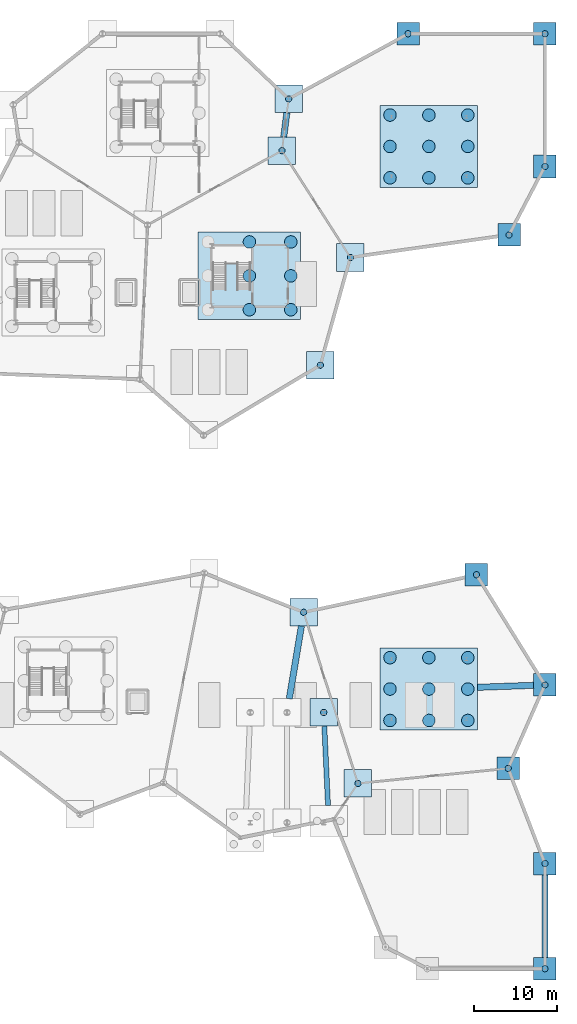
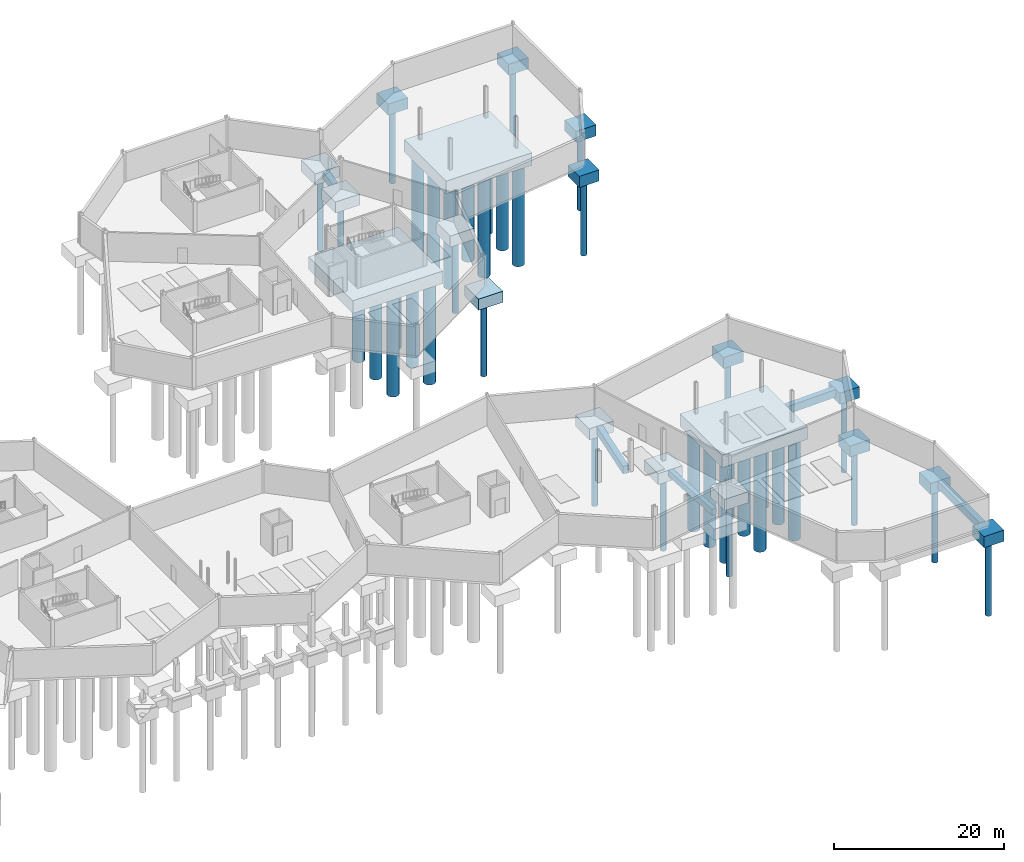
# One storey, part 3 of 37: 40 piles, 24 footings.
"""IFC4 building model written with IfcOpenShell, lengths in metres."""

from ifc_helpers import new_model, si_unit, direction, frame, origin, origin_2d, place, context, subcontext, project, spatial, rectangle, circle, extrude, material, material_profile, profile_set, type_object, element, save


model = new_model("IFC4")

# Units and contexts
model_context = context("Model", 3, precision=1e-05, world=origin(), true_north=direction((0.0, 1.0)))
body_context = subcontext(model_context, "Body", "Model", "MODEL_VIEW")
ifc_project = project(units=[si_unit("LENGTHUNIT", "METRE"), si_unit("AREAUNIT", "SQUARE_METRE"), si_unit("VOLUMEUNIT", "CUBIC_METRE"), si_unit("PLANEANGLEUNIT", "RADIAN"), si_unit("MASSUNIT", "GRAM", prefix="KILO")], contexts=[model_context])

# Site, building, storey
site_placement = place(None, origin())
site = spatial("IfcSite", under=ifc_project, at=site_placement, CompositionType="ELEMENT")
building_placement = place(site_placement, origin())
building = spatial("IfcBuilding", under=site, at=building_placement, Name="Tameran Prism Museum", CompositionType="ELEMENT")
storey_placement = place(building_placement, frame((0.0, 0.0, -4.5)))
storey = spatial("IfcBuildingStorey", under=building, at=storey_placement, Name="B1", CompositionType="ELEMENT", Elevation=-4.5)

# Footings
ifc_material_1 = material(Name="Concrete N40 (40 MPa)", Category="concrete")
ifc_material_profile_1 = material_profile(ifc_material_1, rectangle(XDim=0.60009765625, YDim=0.89990234375, at=origin_2d()))
ifc_profile_set_1 = profile_set([ifc_material_profile_1])
footing_type_1 = type_object("IfcFootingType", Name="FT-GB600", PredefinedType="FOOTING_BEAM", material=ifc_profile_set_1)
footing_1_placement = place(storey_placement, frame((140.4150390625, 19.550048828125, -0.8701171875), z_axis=(-0.046157577085, 0.998934171043, 0.0), x_axis=(-0.998934171043, -0.046157577085, 0.0)))
element("IfcFooting", 1, at=footing_1_placement, inside=storey, type_object=footing_type_1, Name="Ground Beam GB-043", PredefinedType="FOOTING_BEAM", context=body_context, shape_type="SweptSolid", body=[
    extrude(rectangle(XDim=0.60009765625, YDim=0.89990234375, at=origin_2d()), origin(), (0.0, 0.0, 1.0), 9.51025390625),
])
ifc_material_2 = material(Name="Concrete N40 (40 MPa)", Category="concrete")
ifc_material_profile_2 = material_profile(ifc_material_2, rectangle(XDim=0.75, YDim=1.10009765625, at=origin_2d()))
ifc_profile_set_2 = profile_set([ifc_material_profile_2])
footing_type_2 = type_object("IfcFootingType", Name="FT-GB750", PredefinedType="FOOTING_BEAM", material=ifc_profile_set_2)
footing_2_placement = place(storey_placement, frame((135.113037109375, 99.64990234375, -0.969970703125), z_axis=(0.127907757957, 0.991786068391, 0.0), x_axis=(-0.991786068391, 0.127907757957, 0.0)))
element("IfcFooting", 2, at=footing_2_placement, inside=storey, type_object=footing_type_2, Name="Ground Beam GB-040", PredefinedType="FOOTING_BEAM", context=body_context, shape_type="SweptSolid", body=[
    extrude(rectangle(XDim=0.75, YDim=1.10009765625, at=origin_2d()), origin(), (0.0, 0.0, 1.0), 2.924072265625),
])
footing_3_placement = place(storey_placement, frame((135.77490234375, 32.35009765625, -0.969970703125), z_axis=(0.164421430811, 0.986390182986, 0.0), x_axis=(-0.986390182986, 0.164421430811, 0.0)))
element("IfcFooting", 3, at=footing_3_placement, inside=storey, type_object=footing_type_2, Name="Ground Beam GB-042", PredefinedType="FOOTING_BEAM", context=body_context, shape_type="SweptSolid", body=[
    extrude(rectangle(XDim=0.75, YDim=1.10009765625, at=origin_2d()), origin(), (0.0, 0.0, 1.0), 8.820068359375),
])
footing_4_placement = place(storey_placement, frame((158.330078125, 33.7099609375, -0.969970703125), z_axis=(0.999357710114, 0.035835279196, 0.0), x_axis=(-0.035835279196, 0.999357710114, 0.0)))
element("IfcFooting", 4, at=footing_4_placement, inside=storey, type_object=footing_type_2, Name="Ground Beam GB-044", PredefinedType="FOOTING_BEAM", context=body_context, shape_type="SweptSolid", body=[
    extrude(rectangle(XDim=0.75, YDim=1.10009765625, at=origin_2d()), origin(), (0.0, 0.0, 1.0), 6.724365234375),
])
footing_5_placement = place(storey_placement, frame((166.39990234375, 1.35009765625, -0.969970703125), z_axis=(0.0, 1.0, 0.0), x_axis=(-1.0, 0.0, 0.0)))
element("IfcFooting", 5, at=footing_5_placement, inside=storey, type_object=footing_type_2, Name="Ground Beam GB-046", PredefinedType="FOOTING_BEAM", context=body_context, shape_type="SweptSolid", body=[
    extrude(rectangle(XDim=0.75, YDim=1.10009765625, at=origin_2d()), origin(), (0.0, 0.0, 1.0), 9.89990234375),
])
ifc_material_3 = material(Name="Concrete N40 (40 MPa)", Category="concrete")
footing_type_3 = type_object("IfcFootingType", Name="FT-PC-1166x986x180", PredefinedType="PILE_CAP", material=ifc_material_3)
for number, where, z_axis, x_axis, name in (
    (6, (152.5, 33.5, -2.22021484375), (0.0, 0.0, 1.0), (1.0, 0.0, 0.0), "Pile Cap PC-96"),
    (7, (152.5, 98.5, -2.22021484375), (0.0, 0.0, 1.0), (1.0, 0.0, 0.0), "Pile Cap PC-97"),
):
    element("IfcFooting", number, at=place(storey_placement, frame(where, z_axis=z_axis, x_axis=x_axis)), inside=storey, type_object=footing_type_3, Name=name, PredefinedType="PILE_CAP", context=body_context, shape_type="SweptSolid", body=[
        extrude(rectangle(XDim=11.659912109375, YDim=9.860107421875, at=origin_2d()), origin(), (0.0, 0.0, 1.0), 1.800048828125),
    ])
ifc_material_4 = material(Name="Concrete N40 (40 MPa)", Category="concrete")
footing_type_4 = type_object("IfcFootingType", Name="FT-PC-1226x1046x180", PredefinedType="PILE_CAP", material=ifc_material_4)
footing_6_placement = place(storey_placement, frame((131.0, 83.0, -2.22021484375), z_axis=(0.0, 0.0, 1.0), x_axis=(1.0, 0.0, 0.0)))
element("IfcFooting", 8, at=footing_6_placement, inside=storey, type_object=footing_type_4, Name="Pile Cap PC-81", PredefinedType="PILE_CAP", context=body_context, shape_type="SweptSolid", body=[
    extrude(rectangle(XDim=12.260009765625, YDim=10.4599609375, at=origin_2d()), origin(), (0.0, 0.0, 1.0), 1.800048828125),
])
ifc_material_5 = material(Name="Concrete N40 (40 MPa)", Category="concrete")
footing_type_5 = type_object("IfcFootingType", Name="FT-PC-270x270x160", PredefinedType="PILE_CAP", material=ifc_material_5)
for number, where, z_axis, x_axis, name in (
    (9, (150.0, 112.0, -2.02001953125), (0.0, 0.0, 1.0), (1.0, 0.0, 0.0), "Pile Cap PC-98"),
    (10, (158.199951171875, 47.199951171875, -2.02001953125), (0.0, 0.0, 1.0), (1.0, 0.0, 0.0), "Pile Cap PC-100"),
    (11, (162.0, 24.0, -2.02001953125), (0.0, 0.0, 1.0), (1.0, 0.0, 0.0), "Pile Cap PC-101"),
    (12, (162.10009765625, 87.89990234375, -2.02001953125), (0.0, 0.0, 1.0), (1.0, 0.0, 0.0), "Pile Cap PC-102"),
    (13, (166.39990234375, 0.0, -2.02001953125), (0.0, 0.0, 1.0), (1.0, 0.0, 0.0), "Pile Cap PC-103"),
    (14, (166.39990234375, 12.60009765625, -2.02001953125), (0.0, 0.0, 1.0), (1.0, 0.0, 0.0), "Pile Cap PC-104"),
    (15, (166.39990234375, 34.0, -2.02001953125), (0.0, 0.0, 1.0), (1.0, 0.0, 0.0), "Pile Cap PC-105"),
    (16, (166.39990234375, 96.10009765625, -2.02001953125), (0.0, 0.0, 1.0), (1.0, 0.0, 0.0), "Pile Cap PC-106"),
    (17, (166.39990234375, 112.0, -2.02001953125), (0.0, 0.0, 1.0), (1.0, 0.0, 0.0), "Pile Cap PC-107"),
):
    element("IfcFooting", number, at=place(storey_placement, frame(where, z_axis=z_axis, x_axis=x_axis)), inside=storey, type_object=footing_type_5, Name=name, PredefinedType="PILE_CAP", context=body_context, shape_type="SweptSolid", body=[
        extrude(rectangle(XDim=2.699951171875, YDim=2.699951171875, at=origin_2d()), origin(), (0.0, 0.0, 1.0), 1.60009765625),
    ])
ifc_material_6 = material(Name="Concrete N40 (40 MPa)", Category="concrete")
footing_type_6 = type_object("IfcFootingType", Name="FT-PC-330x330x160", PredefinedType="PILE_CAP", material=ifc_material_6)
for number, where, z_axis, x_axis, name in (
    (18, (134.89990234375, 98.0, -2.02001953125), (0.0, 0.0, 1.0), (1.0, 0.0, 0.0), "Pile Cap PC-85"),
    (19, (135.699951171875, 104.199951171875, -2.02001953125), (0.0, 0.0, 1.0), (1.0, 0.0, 0.0), "Pile Cap PC-88"),
    (20, (137.5, 42.699951171875, -2.02001953125), (0.0, 0.0, 1.0), (1.0, 0.0, 0.0), "Pile Cap PC-89"),
    (21, (139.5, 72.300048828125, -2.02001953125), (0.0, 0.0, 1.0), (1.0, 0.0, 0.0), "Pile Cap PC-90"),
    (22, (139.89990234375, 30.699951171875, -2.02001953125), (0.0, 0.0, 1.0), (1.0, 0.0, 0.0), "Pile Cap PC-92"),
    (23, (143.10009765625, 85.199951171875, -2.02001953125), (0.0, 0.0, 1.0), (1.0, 0.0, 0.0), "Pile Cap PC-93"),
    (24, (144.0, 22.199951171875, -2.02001953125), (0.0, 0.0, 1.0), (1.0, 0.0, 0.0), "Pile Cap PC-94"),
):
    element("IfcFooting", number, at=place(storey_placement, frame(where, z_axis=z_axis, x_axis=x_axis)), inside=storey, type_object=footing_type_6, Name=name, PredefinedType="PILE_CAP", context=body_context, shape_type="SweptSolid", body=[
        extrude(rectangle(XDim=3.300048828125, YDim=3.300048828125, at=origin_2d()), origin(), (0.0, 0.0, 1.0), 1.60009765625),
    ])

# Piles
ifc_material_7 = material(Name="Concrete N40 (40 MPa)", Category="concrete")
ifc_material_profile_3 = material_profile(ifc_material_7, circle(Radius=0.75, at=origin_2d()))
ifc_profile_set_3 = profile_set([ifc_material_profile_3])
pile_type_1 = type_object("IfcPileType", Name="PL-D1500", PredefinedType="BORED", material=ifc_profile_set_3)
for number, where, z_axis, x_axis, name in (
    (25, (131.0, 78.93994140625, -2.10009765625), (0.0, 0.0, -1.0), (1.0, 0.0, 0.0), "Bored Pile BP-191"),
    (26, (131.0, 83.0, -2.10009765625), (0.0, 0.0, -1.0), (1.0, 0.0, 0.0), "Bored Pile BP-192"),
    (27, (131.0, 87.06005859375, -2.10009765625), (0.0, 0.0, -1.0), (1.0, 0.0, 0.0), "Bored Pile BP-193"),
    (28, (135.9599609375, 78.93994140625, -2.10009765625), (0.0, 0.0, -1.0), (1.0, 0.0, 0.0), "Bored Pile BP-194"),
    (29, (135.9599609375, 83.0, -2.10009765625), (0.0, 0.0, -1.0), (1.0, 0.0, 0.0), "Bored Pile BP-195"),
    (30, (135.9599609375, 87.06005859375, -2.10009765625), (0.0, 0.0, -1.0), (1.0, 0.0, 0.0), "Bored Pile BP-196"),
    (31, (147.840087890625, 29.739990234375, -2.10009765625), (0.0, 0.0, -1.0), (1.0, 0.0, 0.0), "Bored Pile BP-215"),
    (32, (147.840087890625, 33.5, -2.10009765625), (0.0, 0.0, -1.0), (1.0, 0.0, 0.0), "Bored Pile BP-216"),
    (33, (147.840087890625, 37.260009765625, -2.10009765625), (0.0, 0.0, -1.0), (1.0, 0.0, 0.0), "Bored Pile BP-217"),
    (34, (152.5, 29.739990234375, -2.10009765625), (0.0, 0.0, -1.0), (1.0, 0.0, 0.0), "Bored Pile BP-218"),
    (35, (152.5, 33.5, -2.10009765625), (0.0, 0.0, -1.0), (1.0, 0.0, 0.0), "Bored Pile BP-219"),
    (36, (152.5, 37.260009765625, -2.10009765625), (0.0, 0.0, -1.0), (1.0, 0.0, 0.0), "Bored Pile BP-220"),
    (37, (157.159912109375, 29.739990234375, -2.10009765625), (0.0, 0.0, -1.0), (1.0, 0.0, 0.0), "Bored Pile BP-221"),
    (38, (157.159912109375, 33.5, -2.10009765625), (0.0, 0.0, -1.0), (1.0, 0.0, 0.0), "Bored Pile BP-222"),
    (39, (157.159912109375, 37.260009765625, -2.10009765625), (0.0, 0.0, -1.0), (1.0, 0.0, 0.0), "Bored Pile BP-223"),
    (40, (147.840087890625, 94.739990234375, -2.10009765625), (0.0, 0.0, -1.0), (1.0, 0.0, 0.0), "Bored Pile BP-224"),
    (41, (147.840087890625, 98.5, -2.10009765625), (0.0, 0.0, -1.0), (1.0, 0.0, 0.0), "Bored Pile BP-225"),
    (42, (147.840087890625, 102.260009765625, -2.10009765625), (0.0, 0.0, -1.0), (1.0, 0.0, 0.0), "Bored Pile BP-226"),
    (43, (152.5, 94.739990234375, -2.10009765625), (0.0, 0.0, -1.0), (1.0, 0.0, 0.0), "Bored Pile BP-227"),
    (44, (152.5, 98.5, -2.10009765625), (0.0, 0.0, -1.0), (1.0, 0.0, 0.0), "Bored Pile BP-228"),
    (45, (152.5, 102.260009765625, -2.10009765625), (0.0, 0.0, -1.0), (1.0, 0.0, 0.0), "Bored Pile BP-229"),
    (46, (157.159912109375, 94.739990234375, -2.10009765625), (0.0, 0.0, -1.0), (1.0, 0.0, 0.0), "Bored Pile BP-230"),
    (47, (157.159912109375, 98.5, -2.10009765625), (0.0, 0.0, -1.0), (1.0, 0.0, 0.0), "Bored Pile BP-231"),
    (48, (157.159912109375, 102.260009765625, -2.10009765625), (0.0, 0.0, -1.0), (1.0, 0.0, 0.0), "Bored Pile BP-232"),
):
    element("IfcPile", number, at=place(storey_placement, frame(where, z_axis=z_axis, x_axis=x_axis)), inside=storey, type_object=pile_type_1, Name=name, PredefinedType="BORED", context=body_context, shape_type="SweptSolid", body=[
        extrude(circle(Radius=0.75, at=origin_2d()), origin(), (0.0, 0.0, 1.0), 14.5),
    ])
ifc_material_8 = material(Name="Concrete N40 (40 MPa)", Category="concrete")
ifc_material_profile_4 = material_profile(ifc_material_8, circle(Radius=0.375, at=origin_2d()))
ifc_profile_set_4 = profile_set([ifc_material_profile_4])
pile_type_2 = type_object("IfcPileType", Name="PL-D750", PredefinedType="BORED", material=ifc_profile_set_4)
for number, where, z_axis, x_axis, name in (
    (49, (134.89990234375, 98.0, -1.89990234375), (0.0, 0.0, -1.0), (1.0, 0.0, 0.0), "Bored Pile BP-203"),
    (50, (135.699951171875, 104.199951171875, -1.89990234375), (0.0, 0.0, -1.0), (1.0, 0.0, 0.0), "Bored Pile BP-206"),
    (51, (137.5, 42.699951171875, -1.89990234375), (0.0, 0.0, -1.0), (1.0, 0.0, 0.0), "Bored Pile BP-207"),
    (52, (139.5, 72.300048828125, -1.89990234375), (0.0, 0.0, -1.0), (1.0, 0.0, 0.0), "Bored Pile BP-208"),
    (53, (139.89990234375, 30.699951171875, -1.89990234375), (0.0, 0.0, -1.0), (1.0, 0.0, 0.0), "Bored Pile BP-211"),
    (54, (143.10009765625, 85.199951171875, -1.89990234375), (0.0, 0.0, -1.0), (1.0, 0.0, 0.0), "Bored Pile BP-212"),
    (55, (144.0, 22.199951171875, -1.89990234375), (0.0, 0.0, -1.0), (1.0, 0.0, 0.0), "Bored Pile BP-213"),
    (56, (150.0, 112.0, -1.89990234375), (0.0, 0.0, -1.0), (1.0, 0.0, 0.0), "Bored Pile BP-233"),
    (57, (158.199951171875, 47.199951171875, -1.89990234375), (0.0, 0.0, -1.0), (1.0, 0.0, 0.0), "Bored Pile BP-235"),
    (58, (162.0, 24.0, -1.89990234375), (0.0, 0.0, -1.0), (1.0, 0.0, 0.0), "Bored Pile BP-236"),
    (59, (162.10009765625, 87.89990234375, -1.89990234375), (0.0, 0.0, -1.0), (1.0, 0.0, 0.0), "Bored Pile BP-237"),
    (60, (166.39990234375, 0.0, -1.89990234375), (0.0, 0.0, -1.0), (1.0, 0.0, 0.0), "Bored Pile BP-238"),
    (61, (166.39990234375, 12.60009765625, -1.89990234375), (0.0, 0.0, -1.0), (1.0, 0.0, 0.0), "Bored Pile BP-239"),
    (62, (166.39990234375, 34.0, -1.89990234375), (0.0, 0.0, -1.0), (1.0, 0.0, 0.0), "Bored Pile BP-240"),
    (63, (166.39990234375, 96.10009765625, -1.89990234375), (0.0, 0.0, -1.0), (1.0, 0.0, 0.0), "Bored Pile BP-241"),
    (64, (166.39990234375, 112.0, -1.89990234375), (0.0, 0.0, -1.0), (1.0, 0.0, 0.0), "Bored Pile BP-242"),
):
    element("IfcPile", number, at=place(storey_placement, frame(where, z_axis=z_axis, x_axis=x_axis)), inside=storey, type_object=pile_type_2, Name=name, PredefinedType="BORED", context=body_context, shape_type="SweptSolid", body=[
        extrude(circle(Radius=0.375, at=origin_2d()), origin(), (0.0, 0.0, 1.0), 11.0),
    ])

save(model, "model.ifc")
